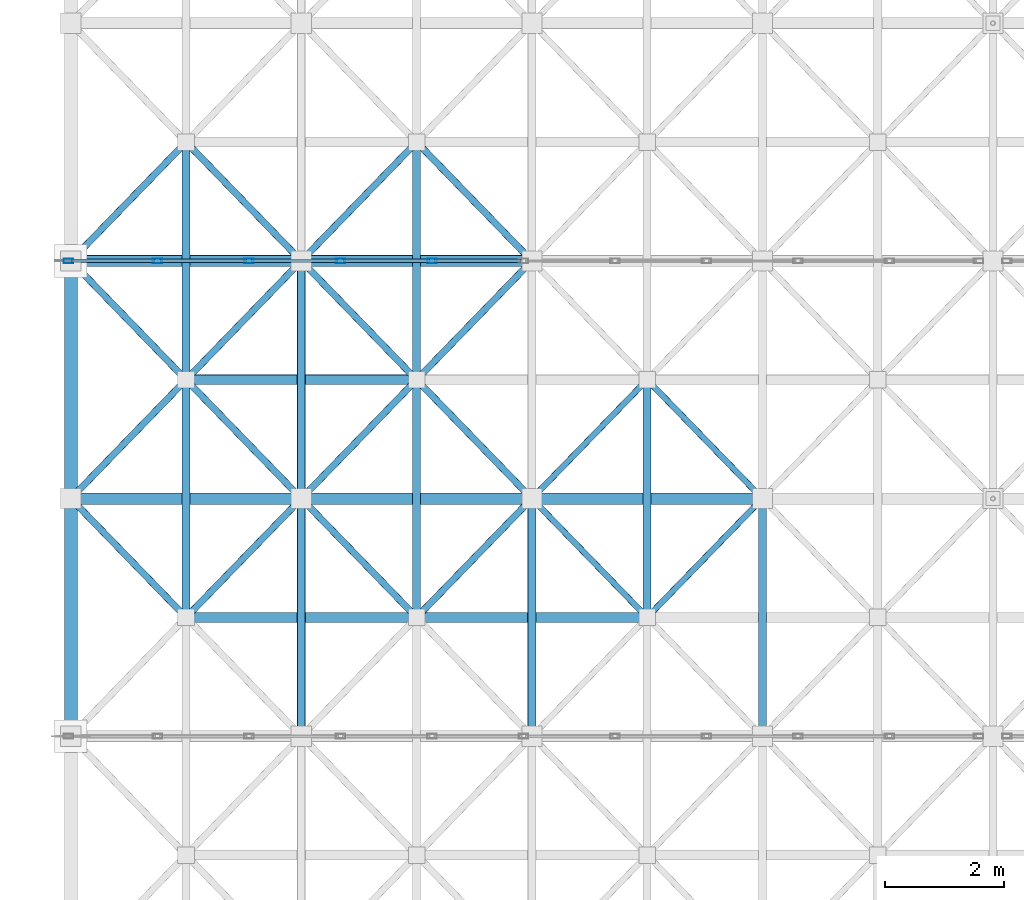
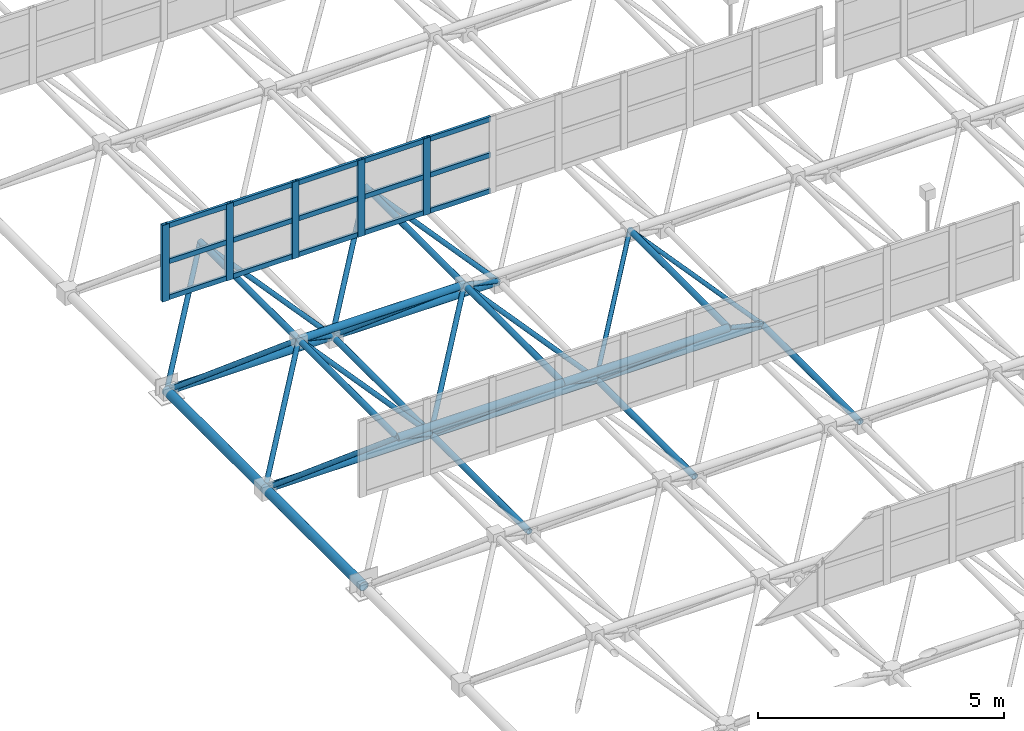
# One storey, part 82 of 195: 59 members, 1 element without a shape of its own.
"""IFC4 building model written with IfcOpenShell, lengths in metres."""

from ifc_helpers import new_model, si_unit, direction, frame, origin, origin_2d, place, context, subcontext, project, spatial, hollow_rectangle, hollow_circle, extrude, material, material_profile, profile_set, type_object, element, aggregate, save


model = new_model("IFC4")

# Units and contexts
model_context = context("Model", 3, precision=1e-05, world=origin(), true_north=direction((0.0, 1.0)))
body_context = subcontext(model_context, "Body", "Model", "MODEL_VIEW")
ifc_project = project(units=[si_unit("LENGTHUNIT", "METRE"), si_unit("AREAUNIT", "SQUARE_METRE"), si_unit("VOLUMEUNIT", "CUBIC_METRE"), si_unit("PLANEANGLEUNIT", "RADIAN"), si_unit("MASSUNIT", "GRAM", prefix="KILO")], contexts=[model_context])

# Site, building, storey
site_placement = place(None, origin())
site = spatial("IfcSite", under=ifc_project, at=site_placement, CompositionType="ELEMENT")
building_placement = place(site_placement, origin())
building = spatial("IfcBuilding", under=site, at=building_placement, Name="Kharva Crest Polytechnic", CompositionType="ELEMENT")
storey_placement = place(building_placement, frame((0.0, 0.0, 9.0)))
storey = spatial("IfcBuildingStorey", under=building, at=storey_placement, Name="L02", CompositionType="ELEMENT", Elevation=9.0)

# Curtain wall, members
ifc_material_1 = material(Name="Tempered insulated glass", Category="glass")
curtain_wall_type = type_object("IfcCurtainWallType", Name="CW-SYS-NORTHLIGHT", PredefinedType="USERDEFINED", material=ifc_material_1)
curtain_wall_placement = place(storey_placement, origin())
curtain_wall = element("IfcCurtainWall", 1, at=curtain_wall_placement, inside=storey, type_object=curtain_wall_type, Name="L02 Glazed Curtain Wall CW-195", ObjectType="CURTAIN WALL", PredefinedType="USERDEFINED")
ifc_material_2 = material(Name="Steel S355", Category="steel")
ifc_material_profile_1 = material_profile(ifc_material_2, hollow_rectangle(XDim=0.080078125, YDim=0.159912109375, WallThickness=0.0048828125, at=origin_2d()), Name="RHS 160X80X5.0")
ifc_profile_set_1 = profile_set([ifc_material_profile_1], Name="Steel S355")
member_type_1 = type_object("IfcMemberType", Name="CWM-RHS160X80", PredefinedType="MULLION", material=ifc_profile_set_1)
member_1_placement = place(storey_placement, frame((0.43994140625, 70.800048828125, 2.85009765625), z_axis=(0.0, 0.0, 1.0), x_axis=(0.0, 1.0, 0.0)))
member_1 = element("IfcMember", 2, at=member_1_placement, type_object=member_type_1, Name="CW-195 mullion 1", PredefinedType="MULLION", context=body_context, shape_type="SweptSolid", body=[
    extrude(hollow_rectangle(XDim=0.080078125, YDim=0.159912109375, WallThickness=0.0048828125, at=origin_2d()), origin(), (0.0, 0.0, 1.0), 1.89990234375),
])
member_2_placement = place(storey_placement, frame((1.93994140625, 70.800048828125, 2.85009765625), z_axis=(0.0, 0.0, 1.0), x_axis=(0.0, 1.0, 0.0)))
member_2 = element("IfcMember", 3, at=member_2_placement, type_object=member_type_1, Name="CW-195 mullion 2", PredefinedType="MULLION", context=body_context, shape_type="SweptSolid", body=[
    extrude(hollow_rectangle(XDim=0.080078125, YDim=0.159912109375, WallThickness=0.0048828125, at=origin_2d()), origin(), (0.0, 0.0, 1.0), 1.89990234375),
])
member_3_placement = place(storey_placement, frame((3.47998046875, 70.800048828125, 2.85009765625), z_axis=(0.0, 0.0, 1.0), x_axis=(0.0, 1.0, 0.0)))
member_3 = element("IfcMember", 4, at=member_3_placement, type_object=member_type_1, Name="CW-195 mullion 3", PredefinedType="MULLION", context=body_context, shape_type="SweptSolid", body=[
    extrude(hollow_rectangle(XDim=0.080078125, YDim=0.159912109375, WallThickness=0.0048828125, at=origin_2d()), origin(), (0.0, 0.0, 1.0), 1.89990234375),
])
member_4_placement = place(storey_placement, frame((5.02001953125, 70.800048828125, 2.85009765625), z_axis=(0.0, 0.0, 1.0), x_axis=(0.0, 1.0, 0.0)))
member_4 = element("IfcMember", 5, at=member_4_placement, type_object=member_type_1, Name="CW-195 mullion 4", PredefinedType="MULLION", context=body_context, shape_type="SweptSolid", body=[
    extrude(hollow_rectangle(XDim=0.080078125, YDim=0.159912109375, WallThickness=0.0048828125, at=origin_2d()), origin(), (0.0, 0.0, 1.0), 1.89990234375),
])
member_5_placement = place(storey_placement, frame((6.56005859375, 70.800048828125, 2.85009765625), z_axis=(0.0, 0.0, 1.0), x_axis=(0.0, 1.0, 0.0)))
member_5 = element("IfcMember", 6, at=member_5_placement, type_object=member_type_1, Name="CW-195 mullion 5", PredefinedType="MULLION", context=body_context, shape_type="SweptSolid", body=[
    extrude(hollow_rectangle(XDim=0.080078125, YDim=0.159912109375, WallThickness=0.0048828125, at=origin_2d()), origin(), (0.0, 0.0, 1.0), 1.89990234375),
])
ifc_material_profile_2 = material_profile(ifc_material_2, hollow_rectangle(XDim=0.06005859375, YDim=0.1201171875, WallThickness=0.00390625, at=origin_2d()), Name="RHS 120X60X4.0")
ifc_profile_set_2 = profile_set([ifc_material_profile_2], Name="Steel S355")
member_type_2 = type_object("IfcMemberType", Name="CWT-RHS120X60", PredefinedType="USERDEFINED", material=ifc_profile_set_2)
member_6_placement = place(storey_placement, frame((0.47998046875, 70.800048828125, 2.909912109375), z_axis=(1.0, 0.0, 0.0), x_axis=(0.0, 1.0, 0.0)))
member_6 = element("IfcMember", 7, at=member_6_placement, type_object=member_type_2, Name="CW-195 transom 1.1", ObjectType="TRANSOM", PredefinedType="USERDEFINED", context=body_context, shape_type="SweptSolid", body=[
    extrude(hollow_rectangle(XDim=0.06005859375, YDim=0.1201171875, WallThickness=0.00390625, at=origin_2d()), origin(), (0.0, 0.0, 1.0), 1.419921875),
])
member_7_placement = place(storey_placement, frame((0.47998046875, 70.800048828125, 3.800048828125), z_axis=(1.0, 0.0, 0.0), x_axis=(0.0, 1.0, 0.0)))
member_7 = element("IfcMember", 8, at=member_7_placement, type_object=member_type_2, Name="CW-195 transom 1.2", ObjectType="TRANSOM", PredefinedType="USERDEFINED", context=body_context, shape_type="SweptSolid", body=[
    extrude(hollow_rectangle(XDim=0.06005859375, YDim=0.1201171875, WallThickness=0.00390625, at=origin_2d()), origin(), (0.0, 0.0, 1.0), 1.419921875),
])
member_8_placement = place(storey_placement, frame((0.47998046875, 70.800048828125, 4.68994140625), z_axis=(1.0, 0.0, 0.0), x_axis=(0.0, 1.0, 0.0)))
member_8 = element("IfcMember", 9, at=member_8_placement, type_object=member_type_2, Name="CW-195 transom 1.3", ObjectType="TRANSOM", PredefinedType="USERDEFINED", context=body_context, shape_type="SweptSolid", body=[
    extrude(hollow_rectangle(XDim=0.06005859375, YDim=0.1201171875, WallThickness=0.00390625, at=origin_2d()), origin(), (0.0, 0.0, 1.0), 1.419921875),
])
member_9_placement = place(storey_placement, frame((1.97998046875, 70.800048828125, 2.909912109375), z_axis=(1.0, 0.0, 0.0), x_axis=(0.0, 1.0, 0.0)))
member_9 = element("IfcMember", 10, at=member_9_placement, type_object=member_type_2, Name="CW-195 transom 2.1", ObjectType="TRANSOM", PredefinedType="USERDEFINED", context=body_context, shape_type="SweptSolid", body=[
    extrude(hollow_rectangle(XDim=0.06005859375, YDim=0.1201171875, WallThickness=0.00390625, at=origin_2d()), origin(), (0.0, 0.0, 1.0), 1.4599609375),
])
member_10_placement = place(storey_placement, frame((1.97998046875, 70.800048828125, 3.800048828125), z_axis=(1.0, 0.0, 0.0), x_axis=(0.0, 1.0, 0.0)))
member_10 = element("IfcMember", 11, at=member_10_placement, type_object=member_type_2, Name="CW-195 transom 2.2", ObjectType="TRANSOM", PredefinedType="USERDEFINED", context=body_context, shape_type="SweptSolid", body=[
    extrude(hollow_rectangle(XDim=0.06005859375, YDim=0.1201171875, WallThickness=0.00390625, at=origin_2d()), origin(), (0.0, 0.0, 1.0), 1.4599609375),
])
member_11_placement = place(storey_placement, frame((1.97998046875, 70.800048828125, 4.68994140625), z_axis=(1.0, 0.0, 0.0), x_axis=(0.0, 1.0, 0.0)))
member_11 = element("IfcMember", 12, at=member_11_placement, type_object=member_type_2, Name="CW-195 transom 2.3", ObjectType="TRANSOM", PredefinedType="USERDEFINED", context=body_context, shape_type="SweptSolid", body=[
    extrude(hollow_rectangle(XDim=0.06005859375, YDim=0.1201171875, WallThickness=0.00390625, at=origin_2d()), origin(), (0.0, 0.0, 1.0), 1.4599609375),
])
member_12_placement = place(storey_placement, frame((3.52001953125, 70.800048828125, 2.909912109375), z_axis=(1.0, 0.0, 0.0), x_axis=(0.0, 1.0, 0.0)))
member_12 = element("IfcMember", 13, at=member_12_placement, type_object=member_type_2, Name="CW-195 transom 3.1", ObjectType="TRANSOM", PredefinedType="USERDEFINED", context=body_context, shape_type="SweptSolid", body=[
    extrude(hollow_rectangle(XDim=0.06005859375, YDim=0.1201171875, WallThickness=0.00390625, at=origin_2d()), origin(), (0.0, 0.0, 1.0), 1.4599609375),
])
member_13_placement = place(storey_placement, frame((3.52001953125, 70.800048828125, 3.800048828125), z_axis=(1.0, 0.0, 0.0), x_axis=(0.0, 1.0, 0.0)))
member_13 = element("IfcMember", 14, at=member_13_placement, type_object=member_type_2, Name="CW-195 transom 3.2", ObjectType="TRANSOM", PredefinedType="USERDEFINED", context=body_context, shape_type="SweptSolid", body=[
    extrude(hollow_rectangle(XDim=0.06005859375, YDim=0.1201171875, WallThickness=0.00390625, at=origin_2d()), origin(), (0.0, 0.0, 1.0), 1.4599609375),
])
member_14_placement = place(storey_placement, frame((3.52001953125, 70.800048828125, 4.68994140625), z_axis=(1.0, 0.0, 0.0), x_axis=(0.0, 1.0, 0.0)))
member_14 = element("IfcMember", 15, at=member_14_placement, type_object=member_type_2, Name="CW-195 transom 3.3", ObjectType="TRANSOM", PredefinedType="USERDEFINED", context=body_context, shape_type="SweptSolid", body=[
    extrude(hollow_rectangle(XDim=0.06005859375, YDim=0.1201171875, WallThickness=0.00390625, at=origin_2d()), origin(), (0.0, 0.0, 1.0), 1.4599609375),
])
member_15_placement = place(storey_placement, frame((5.06005859375, 70.800048828125, 2.909912109375), z_axis=(1.0, 0.0, 0.0), x_axis=(0.0, 1.0, 0.0)))
member_15 = element("IfcMember", 16, at=member_15_placement, type_object=member_type_2, Name="CW-195 transom 4.1", ObjectType="TRANSOM", PredefinedType="USERDEFINED", context=body_context, shape_type="SweptSolid", body=[
    extrude(hollow_rectangle(XDim=0.06005859375, YDim=0.1201171875, WallThickness=0.00390625, at=origin_2d()), origin(), (0.0, 0.0, 1.0), 1.4599609375),
])
member_16_placement = place(storey_placement, frame((5.06005859375, 70.800048828125, 3.800048828125), z_axis=(1.0, 0.0, 0.0), x_axis=(0.0, 1.0, 0.0)))
member_16 = element("IfcMember", 17, at=member_16_placement, type_object=member_type_2, Name="CW-195 transom 4.2", ObjectType="TRANSOM", PredefinedType="USERDEFINED", context=body_context, shape_type="SweptSolid", body=[
    extrude(hollow_rectangle(XDim=0.06005859375, YDim=0.1201171875, WallThickness=0.00390625, at=origin_2d()), origin(), (0.0, 0.0, 1.0), 1.4599609375),
])
member_17_placement = place(storey_placement, frame((5.06005859375, 70.800048828125, 4.68994140625), z_axis=(1.0, 0.0, 0.0), x_axis=(0.0, 1.0, 0.0)))
member_17 = element("IfcMember", 18, at=member_17_placement, type_object=member_type_2, Name="CW-195 transom 4.3", ObjectType="TRANSOM", PredefinedType="USERDEFINED", context=body_context, shape_type="SweptSolid", body=[
    extrude(hollow_rectangle(XDim=0.06005859375, YDim=0.1201171875, WallThickness=0.00390625, at=origin_2d()), origin(), (0.0, 0.0, 1.0), 1.4599609375),
])
member_18_placement = place(storey_placement, frame((6.60009765625, 70.800048828125, 2.909912109375), z_axis=(1.0, 0.0, 0.0), x_axis=(0.0, 1.0, 0.0)))
member_18 = element("IfcMember", 19, at=member_18_placement, type_object=member_type_2, Name="CW-195 transom 5.1", ObjectType="TRANSOM", PredefinedType="USERDEFINED", context=body_context, shape_type="SweptSolid", body=[
    extrude(hollow_rectangle(XDim=0.06005859375, YDim=0.1201171875, WallThickness=0.00390625, at=origin_2d()), origin(), (0.0, 0.0, 1.0), 1.4599609375),
])
member_19_placement = place(storey_placement, frame((6.60009765625, 70.800048828125, 3.800048828125), z_axis=(1.0, 0.0, 0.0), x_axis=(0.0, 1.0, 0.0)))
member_19 = element("IfcMember", 20, at=member_19_placement, type_object=member_type_2, Name="CW-195 transom 5.2", ObjectType="TRANSOM", PredefinedType="USERDEFINED", context=body_context, shape_type="SweptSolid", body=[
    extrude(hollow_rectangle(XDim=0.06005859375, YDim=0.1201171875, WallThickness=0.00390625, at=origin_2d()), origin(), (0.0, 0.0, 1.0), 1.4599609375),
])
member_20_placement = place(storey_placement, frame((6.60009765625, 70.800048828125, 4.68994140625), z_axis=(1.0, 0.0, 0.0), x_axis=(0.0, 1.0, 0.0)))
member_20 = element("IfcMember", 21, at=member_20_placement, type_object=member_type_2, Name="CW-195 transom 5.3", ObjectType="TRANSOM", PredefinedType="USERDEFINED", context=body_context, shape_type="SweptSolid", body=[
    extrude(hollow_rectangle(XDim=0.06005859375, YDim=0.1201171875, WallThickness=0.00390625, at=origin_2d()), origin(), (0.0, 0.0, 1.0), 1.4599609375),
])
aggregate(curtain_wall, [member_1, member_2, member_3, member_4, member_5, member_6, member_7, member_8, member_9, member_10, member_11, member_12, member_13, member_14, member_15, member_16, member_17, member_18, member_19, member_20])

# Members
ifc_material_profile_3 = material_profile(ifc_material_2, hollow_circle(Radius=0.05078125, WallThickness=0.0048828125, at=origin_2d()), Name="CHS 101.6X5.0")
ifc_profile_set_3 = profile_set([ifc_material_profile_3], Name="Steel S355")
member_type_3 = type_object("IfcMemberType", Name="MEM-CHS101", PredefinedType="BRACE", material=ifc_profile_set_3)
for number, where, z_axis, x_axis, name in (
    (22, (8.239990234375, 66.800048828125, 0.60009765625), (0.584843378742, -0.602949529154, 0.542595694449), (0.717802189577, 0.696247094528, 0.0), "Space Frame Web Diagonal 587"),
    (23, (12.1201171875, 66.800048828125, 0.60009765625), (-0.584891802813, -0.602923574763, 0.542572338032), (0.717758400015, -0.696292236929, 0.0), "Space Frame Web Diagonal 588"),
    (24, (8.239990234375, 66.800048828125, 0.60009765625), (0.584843378742, 0.602949529154, 0.542595694449), (-0.717802189577, 0.696247094528, 0.0), "Space Frame Web Diagonal 589"),
    (25, (12.1201171875, 66.800048828125, 0.60009765625), (-0.584891802813, 0.602923574763, 0.542572338032), (-0.717758400015, -0.696292236929, 0.0), "Space Frame Web Diagonal 590"),
):
    element("IfcMember", number, at=place(storey_placement, frame(where, z_axis=z_axis, x_axis=x_axis)), inside=storey, type_object=member_type_3, Name=name, PredefinedType="BRACE", context=body_context, shape_type="SweptSolid", body=[
        extrude(hollow_circle(Radius=0.05078125, WallThickness=0.0048828125, at=origin_2d()), origin(), (0.0, 0.0, 1.0), 3.317138671875),
    ])
ifc_material_profile_4 = material_profile(ifc_material_2, hollow_circle(Radius=0.05712890625, WallThickness=0.00634765625, at=origin_2d()), Name="CHS 114.3X6.3")
ifc_profile_set_4 = profile_set([ifc_material_profile_4], Name="Steel S355")
member_type_4 = type_object("IfcMemberType", Name="MEM-CHS114", PredefinedType="BRACE", material=ifc_profile_set_4)
for number, where, z_axis, x_axis, name in (
    (26, (0.47998046875, 66.800048828125, 0.60009765625), (0.584843378742, -0.602949529154, 0.542595694449), (0.717802189577, 0.696247094528, 0.0), "Space Frame Web Diagonal 475"),
    (27, (4.360107421875, 66.800048828125, 0.60009765625), (-0.584891802813, -0.602923574763, 0.542572338032), (0.717758400015, -0.696292236929, 0.0), "Space Frame Web Diagonal 476"),
    (28, (0.47998046875, 66.800048828125, 0.60009765625), (0.584843378742, 0.602949529154, 0.542595694449), (-0.717802189577, 0.696247094528, 0.0), "Space Frame Web Diagonal 477"),
    (29, (4.360107421875, 66.800048828125, 0.60009765625), (-0.584891802813, 0.602923574763, 0.542572338032), (-0.717758400015, -0.696292236929, 0.0), "Space Frame Web Diagonal 478"),
    (30, (0.47998046875, 70.800048828125, 0.60009765625), (0.584843378742, -0.602949529154, 0.542595694449), (0.717802189577, 0.696247094528, 0.0), "Space Frame Web Diagonal 479"),
    (31, (4.360107421875, 70.800048828125, 0.60009765625), (-0.584891802813, -0.602923574763, 0.542572338032), (0.717758400015, -0.696292236929, 0.0), "Space Frame Web Diagonal 480"),
    (32, (0.47998046875, 70.800048828125, 0.60009765625), (0.584843378742, 0.602949529154, 0.542595694449), (-0.717802189577, 0.696247094528, 0.0), "Space Frame Web Diagonal 481"),
    (33, (4.360107421875, 70.800048828125, 0.60009765625), (-0.584891802813, 0.602923574763, 0.542572338032), (-0.717758400015, -0.696292236929, 0.0), "Space Frame Web Diagonal 482"),
    (34, (4.360107421875, 66.800048828125, 0.60009765625), (0.584843378742, -0.602949529154, 0.542595694449), (0.717802189577, 0.696247094528, 0.0), "Space Frame Web Diagonal 531"),
    (35, (8.239990234375, 66.800048828125, 0.60009765625), (-0.584843378742, -0.602949529154, 0.542595694449), (0.717802189577, -0.696247094528, 0.0), "Space Frame Web Diagonal 532"),
    (36, (4.360107421875, 66.800048828125, 0.60009765625), (0.584843378742, 0.602949529154, 0.542595694449), (-0.717802189577, 0.696247094528, 0.0), "Space Frame Web Diagonal 533"),
    (37, (8.239990234375, 66.800048828125, 0.60009765625), (-0.584843378742, 0.602949529154, 0.542595694449), (-0.717802189577, -0.696247094528, 0.0), "Space Frame Web Diagonal 534"),
    (38, (4.360107421875, 70.800048828125, 0.60009765625), (0.584843378742, -0.602949529154, 0.542595694449), (0.717802189577, 0.696247094528, 0.0), "Space Frame Web Diagonal 535"),
    (39, (8.239990234375, 70.800048828125, 0.60009765625), (-0.584843378742, -0.602949529154, 0.542595694449), (0.717802189577, -0.696247094528, 0.0), "Space Frame Web Diagonal 536"),
    (40, (4.360107421875, 70.800048828125, 0.60009765625), (0.584843378742, 0.602949529154, 0.542595694449), (-0.717802189577, 0.696247094528, 0.0), "Space Frame Web Diagonal 537"),
    (41, (8.239990234375, 70.800048828125, 0.60009765625), (-0.584843378742, 0.602949529154, 0.542595694449), (-0.717802189577, -0.696247094528, 0.0), "Space Frame Web Diagonal 538"),
):
    element("IfcMember", number, at=place(storey_placement, frame(where, z_axis=z_axis, x_axis=x_axis)), inside=storey, type_object=member_type_4, Name=name, PredefinedType="BRACE", context=body_context, shape_type="SweptSolid", body=[
        extrude(hollow_circle(Radius=0.05712890625, WallThickness=0.00634765625, at=origin_2d()), origin(), (0.0, 0.0, 1.0), 3.317138671875),
    ])
ifc_material_profile_5 = material_profile(ifc_material_2, hollow_circle(Radius=0.06982421875, WallThickness=0.00634765625, at=origin_2d()), Name="CHS 139.7X6.3")
ifc_profile_set_5 = profile_set([ifc_material_profile_5], Name="Steel S355")
member_type_5 = type_object("IfcMemberType", Name="MEM-CHS139", PredefinedType="CHORD", material=ifc_profile_set_5)
for number, where, z_axis, x_axis, name in (
    (42, (4.360107421875, 62.800048828125, 0.60009765625), (0.0, 1.0, 0.0), (-1.0, 0.0, 0.0), "Space Frame Bottom Chord Y 141"),
    (43, (4.360107421875, 66.800048828125, 0.60009765625), (0.0, 1.0, 0.0), (-1.0, 0.0, 0.0), "Space Frame Bottom Chord Y 142"),
    (44, (8.239990234375, 62.800048828125, 0.60009765625), (0.0, 1.0, 0.0), (-1.0, 0.0, 0.0), "Space Frame Bottom Chord Y 155"),
    (45, (12.1201171875, 62.800048828125, 0.60009765625), (0.0, 1.0, 0.0), (-1.0, 0.0, 0.0), "Space Frame Bottom Chord Y 169"),
    (46, (2.419921875, 64.800048828125, 2.39990234375), (0.0, 1.0, 0.0), (-1.0, 0.0, 0.0), "Space Frame Top Chord Y 351"),
    (47, (2.419921875, 68.800048828125, 2.39990234375), (0.0, 1.0, 0.0), (-1.0, 0.0, 0.0), "Space Frame Top Chord Y 352"),
    (48, (6.300048828125, 64.800048828125, 2.39990234375), (0.0, 1.0, 0.0), (-1.0, 0.0, 0.0), "Space Frame Top Chord Y 364"),
    (49, (6.300048828125, 68.800048828125, 2.39990234375), (0.0, 1.0, 0.0), (-1.0, 0.0, 0.0), "Space Frame Top Chord Y 365"),
    (50, (10.179931640625, 64.800048828125, 2.39990234375), (0.0, 1.0, 0.0), (-1.0, 0.0, 0.0), "Space Frame Top Chord Y 377"),
):
    element("IfcMember", number, at=place(storey_placement, frame(where, z_axis=z_axis, x_axis=x_axis)), inside=storey, type_object=member_type_5, Name=name, PredefinedType="CHORD", context=body_context, shape_type="SweptSolid", body=[
        extrude(hollow_circle(Radius=0.06982421875, WallThickness=0.00634765625, at=origin_2d()), origin(), (0.0, 0.0, 1.0), 4.0),
    ])
ifc_material_profile_6 = material_profile(ifc_material_2, hollow_circle(Radius=0.084228515625, WallThickness=0.008056640625, at=origin_2d()), Name="CHS 168.3X8.0")
ifc_profile_set_6 = profile_set([ifc_material_profile_6], Name="Steel S355")
member_type_6 = type_object("IfcMemberType", Name="MEM-CHS168", PredefinedType="CHORD", material=ifc_profile_set_6)
member_21_placement = place(storey_placement, frame((2.419921875, 64.800048828125, 2.39990234375), z_axis=(1.0, 0.0, 0.0), x_axis=(0.0, 1.0, 0.0)))
element("IfcMember", 51, at=member_21_placement, inside=storey, type_object=member_type_6, Name="Space Frame Top Chord X 289", PredefinedType="CHORD", context=body_context, shape_type="SweptSolid", body=[
    extrude(hollow_circle(Radius=0.084228515625, WallThickness=0.008056640625, at=origin_2d()), origin(), (0.0, 0.0, 1.0), 3.880126953125),
])
member_22_placement = place(storey_placement, frame((6.300048828125, 64.800048828125, 2.39990234375), z_axis=(1.0, 0.0, 0.0), x_axis=(0.0, 1.0, 0.0)))
element("IfcMember", 52, at=member_22_placement, inside=storey, type_object=member_type_6, Name="Space Frame Top Chord X 290", PredefinedType="CHORD", context=body_context, shape_type="SweptSolid", body=[
    extrude(hollow_circle(Radius=0.084228515625, WallThickness=0.008056640625, at=origin_2d()), origin(), (0.0, 0.0, 1.0), 3.8798828125),
])
member_23_placement = place(storey_placement, frame((2.419921875, 68.800048828125, 2.39990234375), z_axis=(1.0, 0.0, 0.0), x_axis=(0.0, 1.0, 0.0)))
element("IfcMember", 53, at=member_23_placement, inside=storey, type_object=member_type_6, Name="Space Frame Top Chord X 296", PredefinedType="CHORD", context=body_context, shape_type="SweptSolid", body=[
    extrude(hollow_circle(Radius=0.084228515625, WallThickness=0.008056640625, at=origin_2d()), origin(), (0.0, 0.0, 1.0), 3.880126953125),
])
ifc_material_profile_7 = material_profile(ifc_material_2, hollow_circle(Radius=0.096923828125, WallThickness=0.008056640625, at=origin_2d()), Name="CHS 193.7X8.0")
ifc_profile_set_7 = profile_set([ifc_material_profile_7], Name="Steel S355")
member_type_7 = type_object("IfcMemberType", Name="MEM-CHS193", PredefinedType="CHORD", material=ifc_profile_set_7)
member_24_placement = place(storey_placement, frame((0.47998046875, 66.800048828125, 0.60009765625), z_axis=(1.0, 0.0, 0.0), x_axis=(0.0, 1.0, 0.0)))
element("IfcMember", 54, at=member_24_placement, inside=storey, type_object=member_type_7, Name="Space Frame Bottom Chord X 57", PredefinedType="CHORD", context=body_context, shape_type="SweptSolid", body=[
    extrude(hollow_circle(Radius=0.096923828125, WallThickness=0.008056640625, at=origin_2d()), origin(), (0.0, 0.0, 1.0), 3.880126953125),
])
member_25_placement = place(storey_placement, frame((4.360107421875, 66.800048828125, 0.60009765625), z_axis=(1.0, 0.0, 0.0), x_axis=(0.0, 1.0, 0.0)))
element("IfcMember", 55, at=member_25_placement, inside=storey, type_object=member_type_7, Name="Space Frame Bottom Chord X 58", PredefinedType="CHORD", context=body_context, shape_type="SweptSolid", body=[
    extrude(hollow_circle(Radius=0.096923828125, WallThickness=0.008056640625, at=origin_2d()), origin(), (0.0, 0.0, 1.0), 3.8798828125),
])
for number, where, z_axis, x_axis, name in (
    (56, (8.239990234375, 66.800048828125, 0.60009765625), (1.0, 0.0, 0.0), (0.0, 1.0, 0.0), "Space Frame Bottom Chord X 59"),
    (57, (0.47998046875, 70.800048828125, 0.60009765625), (1.0, 0.0, 0.0), (0.0, 1.0, 0.0), "Space Frame Bottom Chord X 65"),
):
    element("IfcMember", number, at=place(storey_placement, frame(where, z_axis=z_axis, x_axis=x_axis)), inside=storey, type_object=member_type_7, Name=name, PredefinedType="CHORD", context=body_context, shape_type="SweptSolid", body=[
        extrude(hollow_circle(Radius=0.096923828125, WallThickness=0.008056640625, at=origin_2d()), origin(), (0.0, 0.0, 1.0), 3.880126953125),
    ])
member_26_placement = place(storey_placement, frame((4.360107421875, 70.800048828125, 0.60009765625), z_axis=(1.0, 0.0, 0.0), x_axis=(0.0, 1.0, 0.0)))
element("IfcMember", 58, at=member_26_placement, inside=storey, type_object=member_type_7, Name="Space Frame Bottom Chord X 66", PredefinedType="CHORD", context=body_context, shape_type="SweptSolid", body=[
    extrude(hollow_circle(Radius=0.096923828125, WallThickness=0.008056640625, at=origin_2d()), origin(), (0.0, 0.0, 1.0), 3.8798828125),
])
ifc_material_profile_8 = material_profile(ifc_material_2, hollow_circle(Radius=0.109619140625, WallThickness=0.010009765625, at=origin_2d()), Name="CHS 219.1X10.0")
ifc_profile_set_8 = profile_set([ifc_material_profile_8], Name="Steel S355")
member_type_8 = type_object("IfcMemberType", Name="MEM-CHS219", PredefinedType="CHORD", material=ifc_profile_set_8)
for number, where, z_axis, x_axis, name in (
    (59, (0.47998046875, 62.800048828125, 0.60009765625), (0.0, 1.0, 0.0), (-1.0, 0.0, 0.0), "Space Frame Bottom Chord Y 127"),
    (60, (0.47998046875, 66.800048828125, 0.60009765625), (0.0, 1.0, 0.0), (-1.0, 0.0, 0.0), "Space Frame Bottom Chord Y 128"),
):
    element("IfcMember", number, at=place(storey_placement, frame(where, z_axis=z_axis, x_axis=x_axis)), inside=storey, type_object=member_type_8, Name=name, PredefinedType="CHORD", context=body_context, shape_type="SweptSolid", body=[
        extrude(hollow_circle(Radius=0.109619140625, WallThickness=0.010009765625, at=origin_2d()), origin(), (0.0, 0.0, 1.0), 4.0),
    ])

save(model, "model.ifc")
